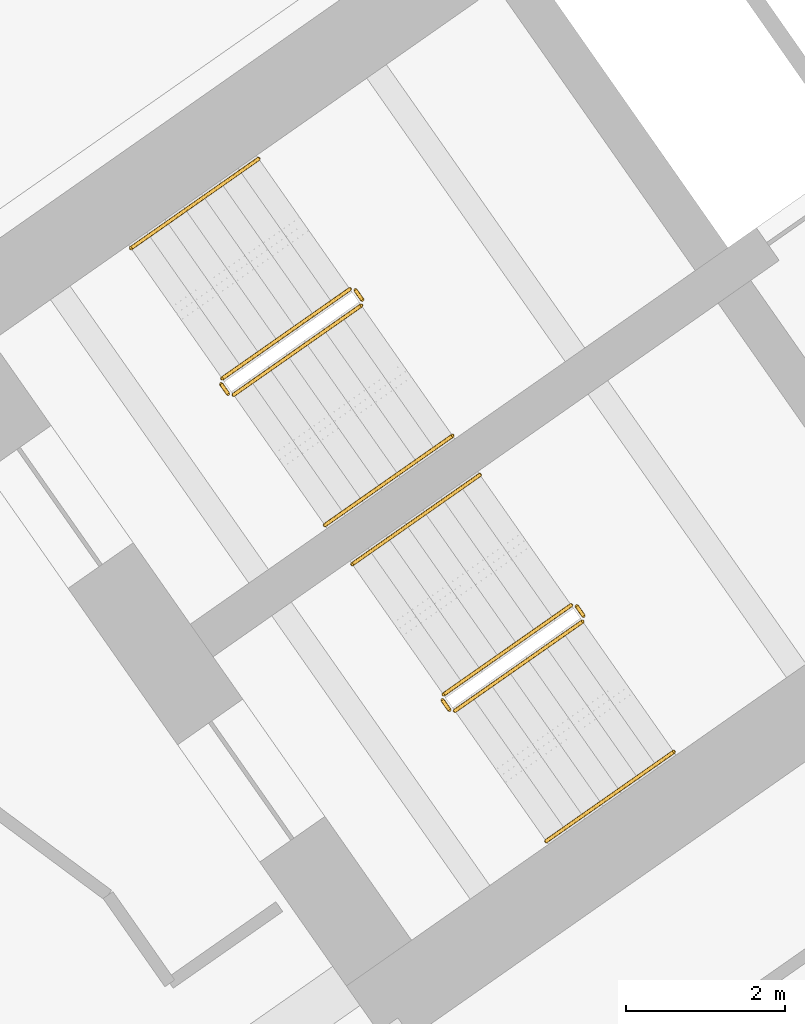
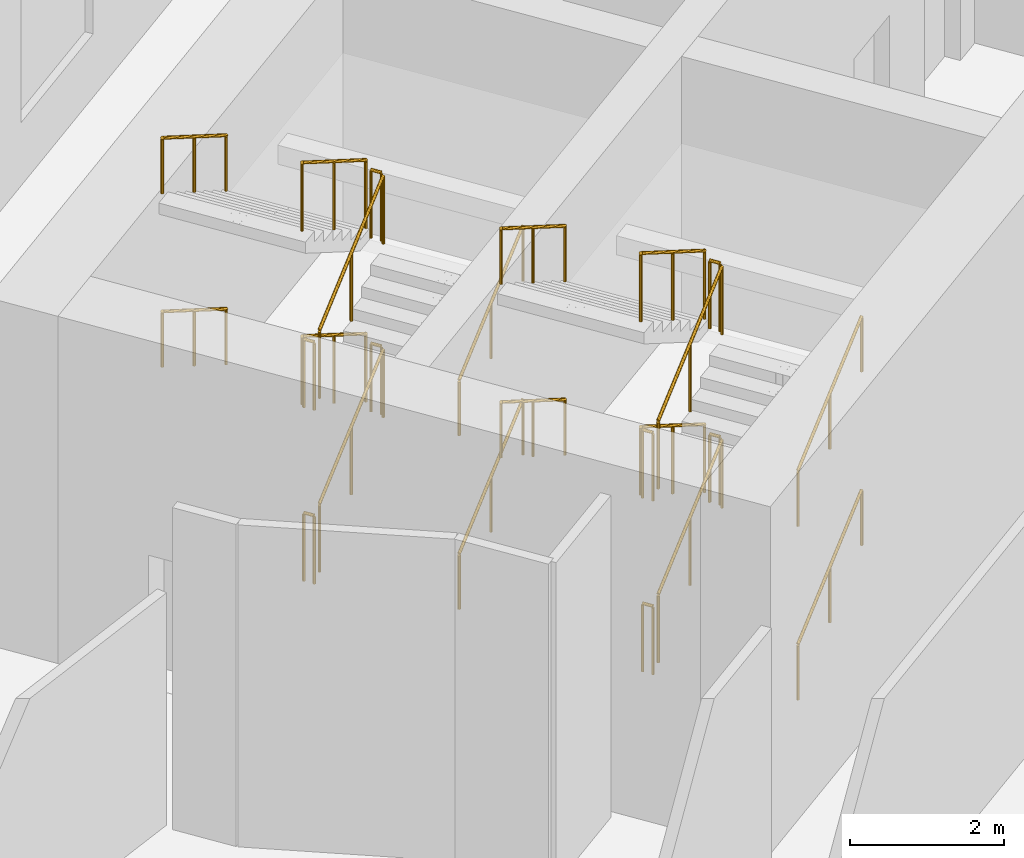
# One storey, part 24 of 26: 24 railings.
"""IFC4 building model written with IfcOpenShell, lengths in metres."""

from ifc_helpers import new_model, si_unit, direction, frame, origin, origin_2d, place, context, subcontext, project, spatial, circle, extrude, material, type_object, element, save


model = new_model("IFC4")

# Units and contexts
model_context = context("Model", 3, precision=1e-05, world=origin(), true_north=direction((0.0, 1.0)))
body_context = subcontext(model_context, "Body", "Model", "MODEL_VIEW")
ifc_project = project(units=[si_unit("LENGTHUNIT", "METRE"), si_unit("AREAUNIT", "SQUARE_METRE"), si_unit("VOLUMEUNIT", "CUBIC_METRE"), si_unit("PLANEANGLEUNIT", "RADIAN"), si_unit("MASSUNIT", "GRAM", prefix="KILO")], contexts=[model_context])

# Site, building, storey
site_placement = place(None, origin())
site = spatial("IfcSite", under=ifc_project, at=site_placement, CompositionType="ELEMENT")
building_placement = place(site_placement, origin())
building = spatial("IfcBuilding", under=site, at=building_placement, Name="Tel Ilan Convention Tower", CompositionType="ELEMENT")
storey_placement = place(building_placement, frame((0.0, 0.0, 32.0)))
storey = spatial("IfcBuildingStorey", under=building, at=storey_placement, Name="L04", CompositionType="ELEMENT", Elevation=32.0)

# Railings
ifc_material_1 = material(Name="Stainless Steel Grade 316", Category="steel")
railing_type_1 = type_object("IfcRailingType", Name="Stainless Steel Stair Guard 1100 mm", PredefinedType="GUARDRAIL", material=ifc_material_1)
railing_1_placement = place(storey_placement, frame((-23.535400390625, -8.056396484375, 0.171875)))
element("IfcRailing", 1, at=railing_1_placement, inside=storey, type_object=railing_type_1, Name="L04 S1 stair guard 1", PredefinedType="GUARDRAIL", context=body_context, shape_type="SweptSolid", body=[
    extrude(circle(Radius=0.02392578125, at=origin_2d()), frame((0.0, 0.0, 1.076171875), z_axis=(0.698094737943, 0.488857400886, 0.523146421621), x_axis=(-0.573612813533, 0.819126571508, 0.0)), (0.0, 0.0, 1.0), 2.2998046875),
    extrude(circle(Radius=0.02099609375, at=origin_2d()), origin(), (0.0, 0.0, 1.0), 1.052001953125),
    extrude(circle(Radius=0.02099609375, at=origin_2d()), frame((0.802734375, 0.56201171875, 0.6015625)), (0.0, 0.0, 1.0), 1.052001953125),
    extrude(circle(Radius=0.02099609375, at=origin_2d()), frame((1.60546875, 1.124267578125, 1.203125)), (0.0, 0.0, 1.0), 1.052001953125),
])
railing_2_placement = place(storey_placement, frame((-21.91748046875, -6.862548828125, 1.375)))
element("IfcRailing", 2, at=railing_2_placement, inside=storey, type_object=railing_type_1, Name="L04 S1 stair guard 2", PredefinedType="GUARDRAIL", context=body_context, shape_type="SweptSolid", body=[
    extrude(circle(Radius=0.02392578125, at=origin_2d()), frame((0.0, 0.0, 1.076171875), z_axis=(-0.57368046593, 0.819079192149, 0.0), x_axis=(-0.819079192149, -0.57368046593, 0.0)), (0.0, 0.0, 1.0), 0.150146484375),
    extrude(circle(Radius=0.02099609375, at=origin_2d()), origin(), (0.0, 0.0, 1.0), 1.052001953125),
    extrude(circle(Radius=0.02099609375, at=origin_2d()), frame((-0.086181640625, 0.123046875, 0.0)), (0.0, 0.0, 1.0), 1.052001953125),
])
railing_3_placement = place(storey_placement, frame((-22.0732421875, -6.727294921875, 1.546875)))
element("IfcRailing", 3, at=railing_3_placement, inside=storey, type_object=railing_type_1, Name="L04 S1 stair guard 3", PredefinedType="GUARDRAIL", context=body_context, shape_type="SweptSolid", body=[
    extrude(circle(Radius=0.02392578125, at=origin_2d()), frame((0.0, 0.0, 1.076171875), z_axis=(-0.698094737943, -0.488857400886, 0.523146421621), x_axis=(0.573612813533, -0.819126571508, 0.0)), (0.0, 0.0, 1.0), 2.2998046875),
    extrude(circle(Radius=0.02099609375, at=origin_2d()), origin(), (0.0, 0.0, 1.0), 1.052001953125),
    extrude(circle(Radius=0.02099609375, at=origin_2d()), frame((-0.802734375, -0.56201171875, 0.6015625)), (0.0, 0.0, 1.0), 1.052001953125),
    extrude(circle(Radius=0.02099609375, at=origin_2d()), frame((-1.60546875, -1.124267578125, 1.203125)), (0.0, 0.0, 1.0), 1.052001953125),
])
railing_4_placement = place(storey_placement, frame((-23.60498046875, -8.0439453125, 2.75)))
element("IfcRailing", 4, at=railing_4_placement, inside=storey, type_object=railing_type_1, Name="L04 S1 stair guard 4", PredefinedType="GUARDRAIL", context=body_context, shape_type="SweptSolid", body=[
    extrude(circle(Radius=0.02392578125, at=origin_2d()), frame((0.0, 0.0, 1.076171875), z_axis=(-0.574444878118, 0.818543268254, 0.0), x_axis=(-0.818543268254, -0.574444878118, 0.0)), (0.0, 0.0, 1.0), 0.150146484375),
    extrude(circle(Radius=0.02099609375, at=origin_2d()), origin(), (0.0, 0.0, 1.0), 1.052001953125),
    extrude(circle(Radius=0.02099609375, at=origin_2d()), frame((-0.086181640625, 0.122802734375, 0.0)), (0.0, 0.0, 1.0), 1.052001953125),
])
railing_5_placement = place(storey_placement, frame((-23.535400390625, -8.056396484375, 2.921875)))
element("IfcRailing", 5, at=railing_5_placement, inside=storey, type_object=railing_type_1, Name="L04 S1 stair guard 5", PredefinedType="GUARDRAIL", context=body_context, shape_type="SweptSolid", body=[
    extrude(circle(Radius=0.02392578125, at=origin_2d()), frame((0.0, 0.0, 1.076171875), z_axis=(0.698094737943, 0.488857400886, 0.523146421621), x_axis=(-0.573612813533, 0.819126571508, 0.0)), (0.0, 0.0, 1.0), 2.2998046875),
    extrude(circle(Radius=0.02099609375, at=origin_2d()), origin(), (0.0, 0.0, 1.0), 1.052001953125),
    extrude(circle(Radius=0.02099609375, at=origin_2d()), frame((0.802734375, 0.56201171875, 0.6015625)), (0.0, 0.0, 1.0), 1.052001953125),
    extrude(circle(Radius=0.02099609375, at=origin_2d()), frame((1.60546875, 1.124267578125, 1.203125)), (0.0, 0.0, 1.0), 1.052001953125),
])
railing_6_placement = place(storey_placement, frame((-21.91748046875, -6.862548828125, 4.125)))
element("IfcRailing", 6, at=railing_6_placement, inside=storey, type_object=railing_type_1, Name="L04 S1 stair guard 6", PredefinedType="GUARDRAIL", context=body_context, shape_type="SweptSolid", body=[
    extrude(circle(Radius=0.02392578125, at=origin_2d()), frame((0.0, 0.0, 1.076171875), z_axis=(-0.57368046593, 0.819079192149, 0.0), x_axis=(-0.819079192149, -0.57368046593, 0.0)), (0.0, 0.0, 1.0), 0.150146484375),
    extrude(circle(Radius=0.02099609375, at=origin_2d()), origin(), (0.0, 0.0, 1.0), 1.052001953125),
    extrude(circle(Radius=0.02099609375, at=origin_2d()), frame((-0.086181640625, 0.123046875, 0.0)), (0.0, 0.0, 1.0), 1.052001953125),
])
railing_7_placement = place(storey_placement, frame((-22.0732421875, -6.727294921875, 4.296875)))
element("IfcRailing", 7, at=railing_7_placement, inside=storey, type_object=railing_type_1, Name="L04 S1 stair guard 7", PredefinedType="GUARDRAIL", context=body_context, shape_type="SweptSolid", body=[
    extrude(circle(Radius=0.02392578125, at=origin_2d()), frame((0.0, 0.0, 1.076171875), z_axis=(-0.698094737943, -0.488857400886, 0.523146421621), x_axis=(0.573612813533, -0.819126571508, 0.0)), (0.0, 0.0, 1.0), 2.2998046875),
    extrude(circle(Radius=0.02099609375, at=origin_2d()), origin(), (0.0, 0.0, 1.0), 1.052001953125),
    extrude(circle(Radius=0.02099609375, at=origin_2d()), frame((-0.802734375, -0.56201171875, 0.6015625)), (0.0, 0.0, 1.0), 1.052001953125),
    extrude(circle(Radius=0.02099609375, at=origin_2d()), frame((-1.60546875, -1.124267578125, 1.203125)), (0.0, 0.0, 1.0), 1.052001953125),
])
railing_8_placement = place(storey_placement, frame((-23.60498046875, -8.0439453125, 0.0)))
element("IfcRailing", 8, at=railing_8_placement, inside=storey, type_object=railing_type_1, Name="L04 S1 stair guard 8", PredefinedType="GUARDRAIL", context=body_context, shape_type="SweptSolid", body=[
    extrude(circle(Radius=0.02392578125, at=origin_2d()), frame((0.0, 0.0, 1.076171875), z_axis=(-0.574444878118, 0.818543268254, 0.0), x_axis=(-0.818543268254, -0.574444878118, 0.0)), (0.0, 0.0, 1.0), 0.150146484375),
    extrude(circle(Radius=0.02099609375, at=origin_2d()), origin(), (0.0, 0.0, 1.0), 1.052001953125),
    extrude(circle(Radius=0.02099609375, at=origin_2d()), frame((-0.086181640625, 0.122802734375, 0.0)), (0.0, 0.0, 1.0), 1.052001953125),
])
railing_9_placement = place(storey_placement, frame((-20.753662109375, -12.029296875, 0.171875)))
element("IfcRailing", 9, at=railing_9_placement, inside=storey, type_object=railing_type_1, Name="L04 S2 stair guard 1", PredefinedType="GUARDRAIL", context=body_context, shape_type="SweptSolid", body=[
    extrude(circle(Radius=0.02392578125, at=origin_2d()), frame((0.0, 0.0, 1.076171875), z_axis=(0.698149155229, 0.488821173762, 0.523107653485), x_axis=(-0.573554290663, 0.819167550421, 0.0)), (0.0, 0.0, 1.0), 2.300048828125),
    extrude(circle(Radius=0.02099609375, at=origin_2d()), origin(), (0.0, 0.0, 1.0), 1.052001953125),
    extrude(circle(Radius=0.02099609375, at=origin_2d()), frame((0.802734375, 0.56201171875, 0.6015625)), (0.0, 0.0, 1.0), 1.052001953125),
    extrude(circle(Radius=0.02099609375, at=origin_2d()), frame((1.605712890625, 1.124267578125, 1.203125)), (0.0, 0.0, 1.0), 1.052001953125),
])
railing_10_placement = place(storey_placement, frame((-19.1357421875, -10.83544921875, 1.375)))
element("IfcRailing", 10, at=railing_10_placement, inside=storey, type_object=railing_type_1, Name="L04 S2 stair guard 2", PredefinedType="GUARDRAIL", context=body_context, shape_type="SweptSolid", body=[
    extrude(circle(Radius=0.02392578125, at=origin_2d()), frame((0.0, 0.0, 1.076171875), z_axis=(-0.572588637393, 0.819842821722, 0.0), x_axis=(-0.819842821722, -0.572588637393, 0.0)), (0.0, 0.0, 1.0), 0.150146484375),
    extrude(circle(Radius=0.02099609375, at=origin_2d()), origin(), (0.0, 0.0, 1.0), 1.052001953125),
    extrude(circle(Radius=0.02099609375, at=origin_2d()), frame((-0.0859375, 0.123046875, 0.0)), (0.0, 0.0, 1.0), 1.052001953125),
])
railing_11_placement = place(storey_placement, frame((-19.29150390625, -10.7001953125, 1.546875)))
element("IfcRailing", 11, at=railing_11_placement, inside=storey, type_object=railing_type_1, Name="L04 S2 stair guard 3", PredefinedType="GUARDRAIL", context=body_context, shape_type="SweptSolid", body=[
    extrude(circle(Radius=0.02392578125, at=origin_2d()), frame((0.0, 0.0, 1.076171875), z_axis=(-0.698094737943, -0.488857400886, 0.523146421621), x_axis=(0.573612813533, -0.819126571508, 0.0)), (0.0, 0.0, 1.0), 2.2998046875),
    extrude(circle(Radius=0.02099609375, at=origin_2d()), origin(), (0.0, 0.0, 1.0), 1.052001953125),
    extrude(circle(Radius=0.02099609375, at=origin_2d()), frame((-0.802734375, -0.56201171875, 0.6015625)), (0.0, 0.0, 1.0), 1.052001953125),
    extrude(circle(Radius=0.02099609375, at=origin_2d()), frame((-1.60546875, -1.124267578125, 1.203125)), (0.0, 0.0, 1.0), 1.052001953125),
])
railing_12_placement = place(storey_placement, frame((-20.8232421875, -12.016845703125, 2.75)))
element("IfcRailing", 12, at=railing_12_placement, inside=storey, type_object=railing_type_1, Name="L04 S2 stair guard 4", PredefinedType="GUARDRAIL", context=body_context, shape_type="SweptSolid", body=[
    extrude(circle(Radius=0.02392578125, at=origin_2d()), frame((0.0, 0.0, 1.076171875), z_axis=(-0.573353020881, 0.819308436089, 0.0), x_axis=(-0.819308436089, -0.573353020881, 0.0)), (0.0, 0.0, 1.0), 0.14990234375),
    extrude(circle(Radius=0.02099609375, at=origin_2d()), origin(), (0.0, 0.0, 1.0), 1.052001953125),
    extrude(circle(Radius=0.02099609375, at=origin_2d()), frame((-0.0859375, 0.122802734375, 0.0)), (0.0, 0.0, 1.0), 1.052001953125),
])
railing_13_placement = place(storey_placement, frame((-20.753662109375, -12.029296875, 2.921875)))
element("IfcRailing", 13, at=railing_13_placement, inside=storey, type_object=railing_type_1, Name="L04 S2 stair guard 5", PredefinedType="GUARDRAIL", context=body_context, shape_type="SweptSolid", body=[
    extrude(circle(Radius=0.02392578125, at=origin_2d()), frame((0.0, 0.0, 1.076171875), z_axis=(0.698149155229, 0.488821173762, 0.523107653485), x_axis=(-0.573554290663, 0.819167550421, 0.0)), (0.0, 0.0, 1.0), 2.300048828125),
    extrude(circle(Radius=0.02099609375, at=origin_2d()), origin(), (0.0, 0.0, 1.0), 1.052001953125),
    extrude(circle(Radius=0.02099609375, at=origin_2d()), frame((0.802734375, 0.56201171875, 0.6015625)), (0.0, 0.0, 1.0), 1.052001953125),
    extrude(circle(Radius=0.02099609375, at=origin_2d()), frame((1.605712890625, 1.124267578125, 1.203125)), (0.0, 0.0, 1.0), 1.052001953125),
])
railing_14_placement = place(storey_placement, frame((-19.1357421875, -10.83544921875, 4.125)))
element("IfcRailing", 14, at=railing_14_placement, inside=storey, type_object=railing_type_1, Name="L04 S2 stair guard 6", PredefinedType="GUARDRAIL", context=body_context, shape_type="SweptSolid", body=[
    extrude(circle(Radius=0.02392578125, at=origin_2d()), frame((0.0, 0.0, 1.076171875), z_axis=(-0.572588637393, 0.819842821722, 0.0), x_axis=(-0.819842821722, -0.572588637393, 0.0)), (0.0, 0.0, 1.0), 0.150146484375),
    extrude(circle(Radius=0.02099609375, at=origin_2d()), origin(), (0.0, 0.0, 1.0), 1.052001953125),
    extrude(circle(Radius=0.02099609375, at=origin_2d()), frame((-0.0859375, 0.123046875, 0.0)), (0.0, 0.0, 1.0), 1.052001953125),
])
railing_15_placement = place(storey_placement, frame((-19.29150390625, -10.7001953125, 4.296875)))
element("IfcRailing", 15, at=railing_15_placement, inside=storey, type_object=railing_type_1, Name="L04 S2 stair guard 7", PredefinedType="GUARDRAIL", context=body_context, shape_type="SweptSolid", body=[
    extrude(circle(Radius=0.02392578125, at=origin_2d()), frame((0.0, 0.0, 1.076171875), z_axis=(-0.698094737943, -0.488857400886, 0.523146421621), x_axis=(0.573612813533, -0.819126571508, 0.0)), (0.0, 0.0, 1.0), 2.2998046875),
    extrude(circle(Radius=0.02099609375, at=origin_2d()), origin(), (0.0, 0.0, 1.0), 1.052001953125),
    extrude(circle(Radius=0.02099609375, at=origin_2d()), frame((-0.802734375, -0.56201171875, 0.6015625)), (0.0, 0.0, 1.0), 1.052001953125),
    extrude(circle(Radius=0.02099609375, at=origin_2d()), frame((-1.60546875, -1.124267578125, 1.203125)), (0.0, 0.0, 1.0), 1.052001953125),
])
railing_16_placement = place(storey_placement, frame((-20.8232421875, -12.016845703125, 0.0)))
element("IfcRailing", 16, at=railing_16_placement, inside=storey, type_object=railing_type_1, Name="L04 S2 stair guard 8", PredefinedType="GUARDRAIL", context=body_context, shape_type="SweptSolid", body=[
    extrude(circle(Radius=0.02392578125, at=origin_2d()), frame((0.0, 0.0, 1.076171875), z_axis=(-0.573353020881, 0.819308436089, 0.0), x_axis=(-0.819308436089, -0.573353020881, 0.0)), (0.0, 0.0, 1.0), 0.14990234375),
    extrude(circle(Radius=0.02099609375, at=origin_2d()), origin(), (0.0, 0.0, 1.0), 1.052001953125),
    extrude(circle(Radius=0.02099609375, at=origin_2d()), frame((-0.0859375, 0.122802734375, 0.0)), (0.0, 0.0, 1.0), 1.052001953125),
])
ifc_material_2 = material(Name="Stainless Steel Grade 316", Category="steel")
railing_type_2 = type_object("IfcRailingType", Name="Stainless Steel Stair Handrail 900 mm", PredefinedType="HANDRAIL", material=ifc_material_2)
railing_17_placement = place(storey_placement, frame((-22.38818359375, -9.694580078125, 0.171875)))
element("IfcRailing", 17, at=railing_17_placement, inside=storey, type_object=railing_type_2, Name="L04 S1 stair handrail 1", PredefinedType="HANDRAIL", context=body_context, shape_type="SweptSolid", body=[
    extrude(circle(Radius=0.02392578125, at=origin_2d()), frame((0.0, 0.0, 0.8759765625), z_axis=(0.698094737943, 0.488857400886, 0.523146421621), x_axis=(-0.573612813533, 0.819126571508, 0.0)), (0.0, 0.0, 1.0), 2.2998046875),
    extrude(circle(Radius=0.02099609375, at=origin_2d()), origin(), (0.0, 0.0, 1.0), 0.851806640625),
    extrude(circle(Radius=0.02099609375, at=origin_2d()), frame((0.802734375, 0.56201171875, 0.6015625)), (0.0, 0.0, 1.0), 0.851806640625),
    extrude(circle(Radius=0.02099609375, at=origin_2d()), frame((1.60546875, 1.124267578125, 1.203125)), (0.0, 0.0, 1.0), 0.851806640625),
])
railing_18_placement = place(storey_placement, frame((-23.220458984375, -5.089111328125, 1.546875)))
element("IfcRailing", 18, at=railing_18_placement, inside=storey, type_object=railing_type_2, Name="L04 S1 stair handrail 2", PredefinedType="HANDRAIL", context=body_context, shape_type="SweptSolid", body=[
    extrude(circle(Radius=0.02392578125, at=origin_2d()), frame((0.0, 0.0, 0.8759765625), z_axis=(-0.698130965226, -0.488776606433, 0.523173570048), x_axis=(0.573529226717, -0.819185098803, 0.0)), (0.0, 0.0, 1.0), 2.299560546875),
    extrude(circle(Radius=0.02099609375, at=origin_2d()), origin(), (0.0, 0.0, 1.0), 0.851806640625),
    extrude(circle(Radius=0.02099609375, at=origin_2d()), frame((-0.802734375, -0.56201171875, 0.6015625)), (0.0, 0.0, 1.0), 0.851806640625),
    extrude(circle(Radius=0.02099609375, at=origin_2d()), frame((-1.60546875, -1.1240234375, 1.203125)), (0.0, 0.0, 1.0), 0.851806640625),
])
railing_19_placement = place(storey_placement, frame((-22.38818359375, -9.694580078125, 2.921875)))
element("IfcRailing", 19, at=railing_19_placement, inside=storey, type_object=railing_type_2, Name="L04 S1 stair handrail 3", PredefinedType="HANDRAIL", context=body_context, shape_type="SweptSolid", body=[
    extrude(circle(Radius=0.02392578125, at=origin_2d()), frame((0.0, 0.0, 0.8759765625), z_axis=(0.698094737943, 0.488857400886, 0.523146421621), x_axis=(-0.573612813533, 0.819126571508, 0.0)), (0.0, 0.0, 1.0), 2.2998046875),
    extrude(circle(Radius=0.02099609375, at=origin_2d()), origin(), (0.0, 0.0, 1.0), 0.851806640625),
    extrude(circle(Radius=0.02099609375, at=origin_2d()), frame((0.802734375, 0.56201171875, 0.6015625)), (0.0, 0.0, 1.0), 0.851806640625),
    extrude(circle(Radius=0.02099609375, at=origin_2d()), frame((1.60546875, 1.124267578125, 1.203125)), (0.0, 0.0, 1.0), 0.851806640625),
])
railing_20_placement = place(storey_placement, frame((-23.220458984375, -5.089111328125, 4.296875)))
element("IfcRailing", 20, at=railing_20_placement, inside=storey, type_object=railing_type_2, Name="L04 S1 stair handrail 4", PredefinedType="HANDRAIL", context=body_context, shape_type="SweptSolid", body=[
    extrude(circle(Radius=0.02392578125, at=origin_2d()), frame((0.0, 0.0, 0.8759765625), z_axis=(-0.698130965226, -0.488776606433, 0.523173570048), x_axis=(0.573529226717, -0.819185098803, 0.0)), (0.0, 0.0, 1.0), 2.299560546875),
    extrude(circle(Radius=0.02099609375, at=origin_2d()), origin(), (0.0, 0.0, 1.0), 0.851806640625),
    extrude(circle(Radius=0.02099609375, at=origin_2d()), frame((-0.802734375, -0.56201171875, 0.6015625)), (0.0, 0.0, 1.0), 0.851806640625),
    extrude(circle(Radius=0.02099609375, at=origin_2d()), frame((-1.60546875, -1.1240234375, 1.203125)), (0.0, 0.0, 1.0), 0.851806640625),
])
railing_21_placement = place(storey_placement, frame((-19.6064453125, -13.66748046875, 0.171875)))
element("IfcRailing", 21, at=railing_21_placement, inside=storey, type_object=railing_type_2, Name="L04 S2 stair handrail 1", PredefinedType="HANDRAIL", context=body_context, shape_type="SweptSolid", body=[
    extrude(circle(Radius=0.02392578125, at=origin_2d()), frame((0.0, 0.0, 0.8759765625), z_axis=(0.698094737943, 0.488857400886, 0.523146421621), x_axis=(-0.573612813533, 0.819126571508, 0.0)), (0.0, 0.0, 1.0), 2.2998046875),
    extrude(circle(Radius=0.02099609375, at=origin_2d()), origin(), (0.0, 0.0, 1.0), 0.851806640625),
    extrude(circle(Radius=0.02099609375, at=origin_2d()), frame((0.802734375, 0.56201171875, 0.6015625)), (0.0, 0.0, 1.0), 0.851806640625),
    extrude(circle(Radius=0.02099609375, at=origin_2d()), frame((1.60546875, 1.124267578125, 1.203125)), (0.0, 0.0, 1.0), 0.851806640625),
])
railing_22_placement = place(storey_placement, frame((-20.4384765625, -9.06201171875, 1.546875)))
element("IfcRailing", 22, at=railing_22_placement, inside=storey, type_object=railing_type_2, Name="L04 S2 stair handrail 2", PredefinedType="HANDRAIL", context=body_context, shape_type="SweptSolid", body=[
    extrude(circle(Radius=0.02392578125, at=origin_2d()), frame((0.0, 0.0, 0.8759765625), z_axis=(-0.698185379967, -0.488740381537, 0.523134795876), x_axis=(0.573470704013, -0.8192260687, 0.0)), (0.0, 0.0, 1.0), 2.2998046875),
    extrude(circle(Radius=0.02099609375, at=origin_2d()), origin(), (0.0, 0.0, 1.0), 0.851806640625),
    extrude(circle(Radius=0.02099609375, at=origin_2d()), frame((-0.802734375, -0.56201171875, 0.6015625)), (0.0, 0.0, 1.0), 0.851806640625),
    extrude(circle(Radius=0.02099609375, at=origin_2d()), frame((-1.605712890625, -1.1240234375, 1.203125)), (0.0, 0.0, 1.0), 0.851806640625),
])
railing_23_placement = place(storey_placement, frame((-19.6064453125, -13.66748046875, 2.921875)))
element("IfcRailing", 23, at=railing_23_placement, inside=storey, type_object=railing_type_2, Name="L04 S2 stair handrail 3", PredefinedType="HANDRAIL", context=body_context, shape_type="SweptSolid", body=[
    extrude(circle(Radius=0.02392578125, at=origin_2d()), frame((0.0, 0.0, 0.8759765625), z_axis=(0.698094737943, 0.488857400886, 0.523146421621), x_axis=(-0.573612813533, 0.819126571508, 0.0)), (0.0, 0.0, 1.0), 2.2998046875),
    extrude(circle(Radius=0.02099609375, at=origin_2d()), origin(), (0.0, 0.0, 1.0), 0.851806640625),
    extrude(circle(Radius=0.02099609375, at=origin_2d()), frame((0.802734375, 0.56201171875, 0.6015625)), (0.0, 0.0, 1.0), 0.851806640625),
    extrude(circle(Radius=0.02099609375, at=origin_2d()), frame((1.60546875, 1.124267578125, 1.203125)), (0.0, 0.0, 1.0), 0.851806640625),
])
railing_24_placement = place(storey_placement, frame((-20.4384765625, -9.06201171875, 4.296875)))
element("IfcRailing", 24, at=railing_24_placement, inside=storey, type_object=railing_type_2, Name="L04 S2 stair handrail 4", PredefinedType="HANDRAIL", context=body_context, shape_type="SweptSolid", body=[
    extrude(circle(Radius=0.02392578125, at=origin_2d()), frame((0.0, 0.0, 0.8759765625), z_axis=(-0.698185379967, -0.488740381537, 0.523134795876), x_axis=(0.573470704013, -0.8192260687, 0.0)), (0.0, 0.0, 1.0), 2.2998046875),
    extrude(circle(Radius=0.02099609375, at=origin_2d()), origin(), (0.0, 0.0, 1.0), 0.851806640625),
    extrude(circle(Radius=0.02099609375, at=origin_2d()), frame((-0.802734375, -0.56201171875, 0.6015625)), (0.0, 0.0, 1.0), 0.851806640625),
    extrude(circle(Radius=0.02099609375, at=origin_2d()), frame((-1.605712890625, -1.1240234375, 1.203125)), (0.0, 0.0, 1.0), 0.851806640625),
])

save(model, "model.ifc")
